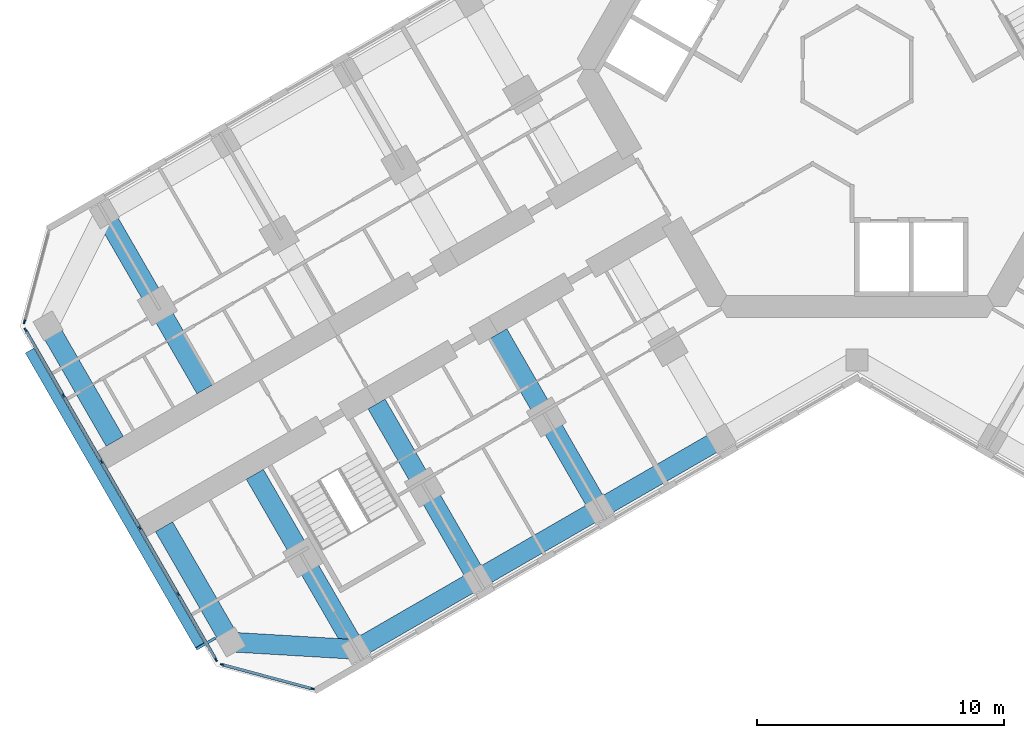
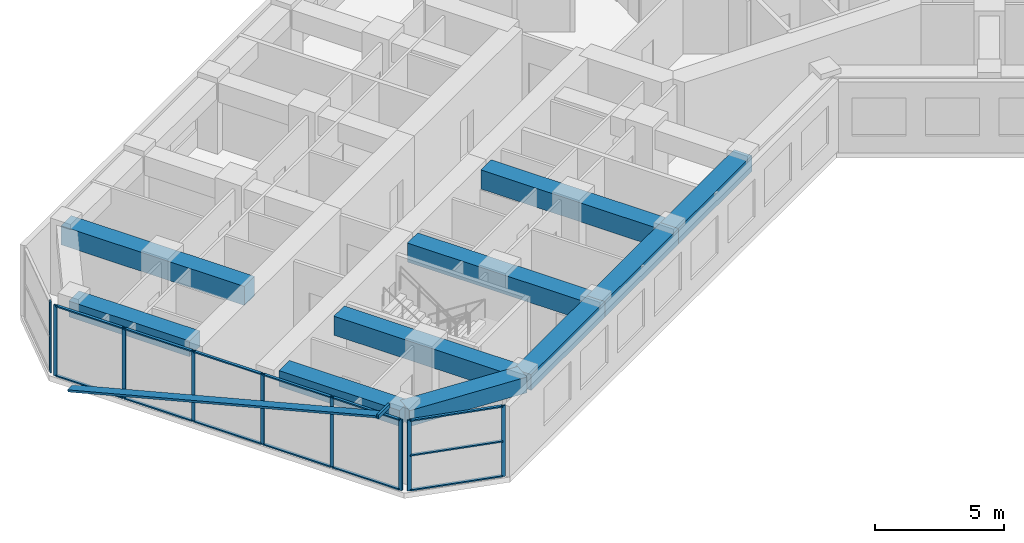
# One storey, part 2 of 19: 24 members, 10 beams, 3 elements without a shape of their own.
"""IFC4 building model written with IfcOpenShell, lengths in metres."""

import ifcopenshell
import ifcopenshell.guid

model = None  # the IFC model being written
_history = None  # IfcOwnerHistory: only IFC2X3 demands one
_inside = {}  # id of a spatial element -> (the spatial element, [elements in it])
_under = {}  # id of a project, library or spatial element -> (it, [spatial elements below it])
_declared = {}  # id of a project -> (the project, [libraries it declares])
_typed = {}  # id of a type object -> (the type object, [elements of that type])
_made_of = {}  # id of a material, layer set ... -> (it, [elements and type objects made of it])


def new_model(schema):
    """Start an empty IFC model of exactly this schema.

    Asked for "IFC4X3", IfcOpenShell would pick the latest addendum, in which some entities
    have other attributes; the version numbers below select the first issue.
    IFC2X3 requires an IfcOwnerHistory on every rooted entity: one is made here for all.
    """
    global model, _history
    if schema == "IFC4X3":
        model = ifcopenshell.file(schema_version=(4, 3, 0, 0))
    else:
        model = ifcopenshell.file(schema=schema)
    _inside.clear()
    _under.clear()
    _declared.clear()
    _typed.clear()
    _made_of.clear()
    _history = None
    if model.schema == "IFC2X3":
        org = make("IfcOrganization", Name="unknown")
        user = make(
            "IfcPersonAndOrganization",
            ThePerson=make("IfcPerson", FamilyName="unknown"),
            TheOrganization=org,
        )
        app = make(
            "IfcApplication",
            ApplicationDeveloper=org,
            Version="unknown",
            ApplicationFullName="unknown",
            ApplicationIdentifier="unknown",
        )
        _history = make(
            "IfcOwnerHistory",
            OwningUser=user,
            OwningApplication=app,
            ChangeAction="ADDED",
            CreationDate=0,
        )
    return model


def make(cls, **values):
    """One entity of the class cls with the attributes given. An attribute that is None is left unset."""
    return model.create_entity(
        cls, **{name: value for name, value in values.items() if value is not None}
    )


def rooted(cls, **values):
    """An entity with a GlobalId (a new one), such as an element, a storey or a relation."""
    return make(cls, GlobalId=ifcopenshell.guid.new(), OwnerHistory=_history, **values)


def si_unit(unit_type, name, prefix=None):
    """IfcSIUnit, for example si_unit("LENGTHUNIT", "METRE", prefix="MILLI")."""
    return make("IfcSIUnit", UnitType=unit_type, Prefix=prefix, Name=name)


def assignment(units):
    """IfcUnitAssignment: the units of a project."""
    return None if units is None else make("IfcUnitAssignment", Units=units)


def point(xyz):
    """IfcCartesianPoint."""
    return None if xyz is None else make("IfcCartesianPoint", Coordinates=xyz)


def direction(xyz):
    """IfcDirection."""
    return None if xyz is None else make("IfcDirection", DirectionRatios=xyz)


def frame(location, z_axis=None, x_axis=None):
    """IfcAxis2Placement3D, a coordinate frame: its origin and axes. An axis left out is left unset."""
    return make(
        "IfcAxis2Placement3D",
        Location=point(location),
        Axis=direction(z_axis),
        RefDirection=direction(x_axis),
    )


def frame_2d(location, x_axis=None):
    """IfcAxis2Placement2D, a coordinate frame in the plane: its origin and x axis."""
    return make(
        "IfcAxis2Placement2D", Location=point(location), RefDirection=direction(x_axis)
    )


def origin():
    """The frame at (0, 0, 0) with its axes left unset."""
    return frame((0.0, 0.0, 0.0))


def origin_2d():
    """The frame at (0, 0) in the plane with its x axis left unset."""
    return frame_2d((0.0, 0.0))


def place(relative_to, where):
    """IfcLocalPlacement: puts the frame where relative to a parent placement (None: the world)."""
    return make(
        "IfcLocalPlacement", PlacementRelTo=relative_to, RelativePlacement=where
    )


def context(
    kind, dimensions, precision=None, world=None, true_north=None, identifier=None
):
    """IfcGeometricRepresentationContext, for example the 3D "Model" context."""
    return make(
        "IfcGeometricRepresentationContext",
        ContextIdentifier=identifier,
        ContextType=kind,
        CoordinateSpaceDimension=dimensions,
        Precision=precision,
        WorldCoordinateSystem=world,
        TrueNorth=true_north,
    )


def subcontext(parent, identifier, kind, view, scale=None):
    """IfcGeometricRepresentationSubContext, for example "Body" below "Model"."""
    return make(
        "IfcGeometricRepresentationSubContext",
        ContextIdentifier=identifier,
        ContextType=kind,
        ParentContext=parent,
        TargetScale=scale,
        TargetView=view,
    )


def project(units=None, contexts=None):
    """IfcProject with its units and contexts."""
    return rooted(
        "IfcProject",
        Name="project",
        RepresentationContexts=contexts,
        UnitsInContext=assignment(units),
    )


def spatial(cls, under=None, at=None, **own):
    """A site, building, storey or space (cls), placed at a placement, below another one or the project."""
    s = rooted(cls, ObjectPlacement=at, **own)
    if under is not None:
        _under.setdefault(under.id(), (under, []))[1].append(s)
    return s


def profile(cls, at=None, kind="AREA", **sizes):
    """A parametric profile (cls). Its sizes go by their IFC names, for example OverallWidth=200.0."""
    return make(cls, ProfileType=kind, Position=at, **sizes)


def rectangle(**sizes):
    """IfcRectangleProfileDef."""
    return profile("IfcRectangleProfileDef", **sizes)


def hollow_rectangle(**sizes):
    """IfcRectangleHollowProfileDef."""
    return profile("IfcRectangleHollowProfileDef", **sizes)


def extrude(swept, where, along, depth):
    """IfcExtrudedAreaSolid: the profile swept, set in the frame where, extruded along a direction by depth."""
    return make(
        "IfcExtrudedAreaSolid",
        SweptArea=swept,
        Position=where,
        ExtrudedDirection=direction(along),
        Depth=depth,
    )


def shape(context_of_items, identifier, shape_type, items):
    """IfcShapeRepresentation: the items that make up one representation, for example the "Body"."""
    return make(
        "IfcShapeRepresentation",
        ContextOfItems=context_of_items,
        RepresentationIdentifier=identifier,
        RepresentationType=shape_type,
        Items=items,
    )


def material(Name=None, Category=None):
    """IfcMaterial."""
    return make("IfcMaterial", Name=Name, Category=Category)


def material_profile(
    of_material, cross_section, Name=None, Category=None, Priority=None
):
    """IfcMaterialProfile: a cross section and its material."""
    return make(
        "IfcMaterialProfile",
        Name=Name,
        Material=of_material,
        Profile=cross_section,
        Priority=Priority,
        Category=Category,
    )


def profile_set(profiles, Name=None, composite=None):
    """IfcMaterialProfileSet."""
    return make(
        "IfcMaterialProfileSet",
        Name=Name,
        MaterialProfiles=profiles,
        CompositeProfile=composite,
    )


def made_of(thing, what):
    """Note that an element or type object is made of a material, layer set ...; save() writes the relation."""
    if what is not None:
        _made_of.setdefault(what.id(), (what, []))[1].append(thing)
    return thing


def type_object(cls, material=None, **own):
    """A type object (cls), such as IfcWallType, which elements share."""
    return made_of(rooted(cls, **own), material)


def element(
    cls,
    number,
    at=None,
    inside=None,
    cuts=None,
    type_object=None,
    material=None,
    context=None,
    identifier="Body",
    shape_type=None,
    held_by="IfcProductDefinitionShape",
    body=None,
    shapes=None,
    **own,
):
    """One element of the class cls, such as IfcWall. Its Tag is "e" and its number.

    at: its placement. inside: the storey or other place that contains it. cuts: it is an
    opening in that element (IfcRelVoidsElement). A single representation is given by context,
    identifier, shape_type and body (its items); several are given by shapes. held_by: the class
    of the entity that holds the representations. save() writes the other relations.
    """
    e = rooted(cls, Tag="e%d" % number, ObjectPlacement=at, **own)
    if body is not None:
        shapes = [shape(context, identifier, shape_type, body)]
    if shapes is not None:
        e.Representation = make(held_by, Representations=shapes)
    if inside is not None:
        _inside.setdefault(inside.id(), (inside, []))[1].append(e)
    if cuts is not None:
        rooted(
            "IfcRelVoidsElement", RelatingBuildingElement=cuts, RelatedOpeningElement=e
        )
    if type_object is not None:
        _typed.setdefault(type_object.id(), (type_object, []))[1].append(e)
    return made_of(e, material)


def aggregate(whole, parts):
    """IfcRelAggregates: a whole, such as a stair, and the parts it consists of."""
    return rooted("IfcRelAggregates", RelatingObject=whole, RelatedObjects=parts)


def save(model, path):
    """Write the relations noted so far, then the file.

    IfcRelAggregates (storeys below a building ...), IfcRelContainedInSpatialStructure (elements
    in a storey), IfcRelDefinesByType, IfcRelAssociatesMaterial and IfcRelDeclares: one each for
    every whole, place, type object, material and project.
    """
    for whole, parts in _under.values():
        aggregate(whole, parts)
    for where, things in _inside.values():
        rooted(
            "IfcRelContainedInSpatialStructure",
            RelatedElements=things,
            RelatingStructure=where,
        )
    for kind, things in _typed.values():
        rooted("IfcRelDefinesByType", RelatedObjects=things, RelatingType=kind)
    for what, things in _made_of.values():
        rooted("IfcRelAssociatesMaterial", RelatedObjects=things, RelatingMaterial=what)
    for by, libraries in _declared.values():
        rooted("IfcRelDeclares", RelatingContext=by, RelatedDefinitions=libraries)
    model.write(path)


model = new_model("IFC4")

# Units and contexts
model_context = context("Model", 3, precision=1e-05, world=origin(), true_north=direction((0.0, 1.0)))
body_context = subcontext(model_context, "Body", "Model", "MODEL_VIEW")
ifc_project = project(units=[si_unit("LENGTHUNIT", "METRE"), si_unit("AREAUNIT", "SQUARE_METRE"), si_unit("VOLUMEUNIT", "CUBIC_METRE"), si_unit("PLANEANGLEUNIT", "RADIAN"), si_unit("MASSUNIT", "GRAM", prefix="KILO")], contexts=[model_context])

# Site, building, storey
site_placement = place(None, origin())
site = spatial("IfcSite", under=ifc_project, at=site_placement, CompositionType="ELEMENT")
building_placement = place(site_placement, origin())
building = spatial("IfcBuilding", under=site, at=building_placement, Name="Kosmar Iwan School Tower", CompositionType="ELEMENT")
storey_placement = place(building_placement, frame((0.0, 0.0, 138.199951171875)))
storey = spatial("IfcBuildingStorey", under=building, at=storey_placement, Name="L34", CompositionType="ELEMENT", Elevation=138.199951171875)

# Members
ifc_material_1 = material(Name="Black anodised aluminium", Category="aluminium")
ifc_material_profile_1 = material_profile(ifc_material_1, rectangle(XDim=0.10009765625, YDim=0.39990234375, at=origin_2d()), Name="FIN 100x400")
ifc_profile_set_1 = profile_set([ifc_material_profile_1], Name="Black anodised aluminium")
member_type_1 = type_object("IfcMemberType", Name="Diagonal fin 100x400", PredefinedType="USERDEFINED", material=ifc_profile_set_1)
member_1_placement = place(storey_placement, frame((-33.54345703125, -11.40087890625, -0.14990234375), z_axis=(0.483795538458, -0.837973939202, 0.252470897702), x_axis=(-0.126233699175, 0.218647221293, 0.967604488318)))
element("IfcMember", 1, at=member_1_placement, inside=storey, type_object=member_type_1, Name="Diagonal fin L34-F13", ObjectType="FIN", PredefinedType="USERDEFINED", context=body_context, shape_type="SweptSolid", body=[
    extrude(rectangle(XDim=0.10009765625, YDim=0.39990234375, at=origin_2d()), origin(), (0.0, 0.0, 1.0), 14.258544921875),
])
ifc_material_2 = material(Name="Steel S355", Category="steel")
ifc_material_profile_2 = material_profile(ifc_material_2, hollow_rectangle(XDim=0.10009765625, YDim=0.199951171875, WallThickness=0.008056640625, at=origin_2d()), Name="RHS 200x100x8")
ifc_profile_set_2 = profile_set([ifc_material_profile_2], Name="Steel S355")
member_type_2 = type_object("IfcMemberType", Name="Fin bracket RHS 200x100", PredefinedType="USERDEFINED", material=ifc_profile_set_2)
member_2_placement = place(storey_placement, frame((-26.01318359375, -23.0439453125, 3.47509765625), z_axis=(-0.866013897511, -0.50001992892, 0.0), x_axis=(0.50001992892, -0.866013897511, 0.0)))
element("IfcMember", 2, at=member_2_placement, inside=storey, type_object=member_type_2, Name="Fin bracket L35", ObjectType="FIN BRACKET", PredefinedType="USERDEFINED", context=body_context, shape_type="SweptSolid", body=[
    extrude(hollow_rectangle(XDim=0.10009765625, YDim=0.199951171875, WallThickness=0.008056640625, at=origin_2d()), origin(), (0.0, 0.0, 1.0), 0.89990234375),
])

# Curtain wall, member
ifc_material_3 = material(Name="Dark glass in black aluminium frame", Category="aluminium")
curtain_wall_type_1 = type_object("IfcCurtainWallType", Name="Chamfer curtain wall dark glass", PredefinedType="USERDEFINED", material=ifc_material_3)
curtain_wall_1_placement = place(storey_placement, origin())
curtain_wall_1 = element("IfcCurtainWall", 3, at=curtain_wall_1_placement, inside=storey, type_object=curtain_wall_type_1, Name="Curtain wall L34-F12", ObjectType="FACETED CURTAIN WALL", PredefinedType="USERDEFINED")
ifc_material_4 = material(Name="Black anodised aluminium", Category="aluminium")
ifc_material_profile_3 = material_profile(ifc_material_4, rectangle(XDim=0.06005859375, YDim=0.159912109375, at=origin_2d()), Name="MULLION 60x160")
ifc_profile_set_3 = profile_set([ifc_material_profile_3], Name="Black anodised aluminium")
member_type_3 = type_object("IfcMemberType", Name="Mullion 60x160", PredefinedType="MULLION", material=ifc_profile_set_3)
member_3_placement = place(storey_placement, frame((-33.7587890625, -10.2236328125, 0.0), z_axis=(0.0, 0.0, 1.0), x_axis=(0.965925875495, -0.258818861462, 0.0)))
member_3 = element("IfcMember", 4, at=member_3_placement, type_object=member_type_3, Name="CW2 mullion 2", PredefinedType="MULLION", context=body_context, shape_type="SweptSolid", body=[
    extrude(rectangle(XDim=0.06005859375, YDim=0.159912109375, at=origin_2d()), origin(), (0.0, 0.0, 1.0), 3.35009765625),
])
aggregate(curtain_wall_1, [member_3])

# Curtain wall, members
ifc_material_5 = material(Name="Dark glass in black aluminium frame", Category="aluminium")
curtain_wall_type_2 = type_object("IfcCurtainWallType", Name="Tower curtain wall dark glass", PredefinedType="USERDEFINED", material=ifc_material_5)
curtain_wall_2_placement = place(storey_placement, origin())
curtain_wall_2 = element("IfcCurtainWall", 5, at=curtain_wall_2_placement, inside=storey, type_object=curtain_wall_type_2, Name="Curtain wall L34-F13", ObjectType="UNITISED CURTAIN WALL", PredefinedType="USERDEFINED")
member_4_placement = place(storey_placement, frame((-33.71533203125, -10.55322265625, 0.0), z_axis=(0.0, 0.0, 1.0), x_axis=(0.866025405329, 0.499999997325, 0.0)))
member_4 = element("IfcMember", 6, at=member_4_placement, type_object=member_type_3, Name="CW1 mullion 1", PredefinedType="MULLION", context=body_context, shape_type="SweptSolid", body=[
    extrude(rectangle(XDim=0.06005859375, YDim=0.159912109375, at=origin_2d()), origin(), (0.0, 0.0, 1.0), 3.35009765625),
])
member_5_placement = place(storey_placement, frame((-32.1806640625, -13.21142578125, 0.0), z_axis=(0.0, 0.0, 1.0), x_axis=(0.866025405329, 0.499999997325, 0.0)))
member_5 = element("IfcMember", 7, at=member_5_placement, type_object=member_type_3, Name="CW1 mullion 2", PredefinedType="MULLION", context=body_context, shape_type="SweptSolid", body=[
    extrude(rectangle(XDim=0.06005859375, YDim=0.159912109375, at=origin_2d()), origin(), (0.0, 0.0, 1.0), 3.35009765625),
])
member_6_placement = place(storey_placement, frame((-30.631103515625, -15.8955078125, 0.0), z_axis=(0.0, 0.0, 1.0), x_axis=(0.866025405329, 0.499999997325, 0.0)))
member_6 = element("IfcMember", 8, at=member_6_placement, type_object=member_type_3, Name="CW1 mullion 3", PredefinedType="MULLION", context=body_context, shape_type="SweptSolid", body=[
    extrude(rectangle(XDim=0.06005859375, YDim=0.159912109375, at=origin_2d()), origin(), (0.0, 0.0, 1.0), 3.35009765625),
])
member_7_placement = place(storey_placement, frame((-29.081298828125, -18.57958984375, 0.0), z_axis=(0.0, 0.0, 1.0), x_axis=(0.866025405329, 0.499999997325, 0.0)))
member_7 = element("IfcMember", 9, at=member_7_placement, type_object=member_type_3, Name="CW1 mullion 4", PredefinedType="MULLION", context=body_context, shape_type="SweptSolid", body=[
    extrude(rectangle(XDim=0.06005859375, YDim=0.159912109375, at=origin_2d()), origin(), (0.0, 0.0, 1.0), 3.35009765625),
])
member_8_placement = place(storey_placement, frame((-27.53173828125, -21.263671875, 0.0), z_axis=(0.0, 0.0, 1.0), x_axis=(0.866025405329, 0.499999997325, 0.0)))
member_8 = element("IfcMember", 10, at=member_8_placement, type_object=member_type_3, Name="CW1 mullion 5", PredefinedType="MULLION", context=body_context, shape_type="SweptSolid", body=[
    extrude(rectangle(XDim=0.06005859375, YDim=0.159912109375, at=origin_2d()), origin(), (0.0, 0.0, 1.0), 3.35009765625),
])
member_9_placement = place(storey_placement, frame((-25.9970703125, -23.921630859375, 0.0), z_axis=(0.0, 0.0, 1.0), x_axis=(0.866025405329, 0.499999997325, 0.0)))
member_9 = element("IfcMember", 11, at=member_9_placement, type_object=member_type_3, Name="CW1 mullion 6", PredefinedType="MULLION", context=body_context, shape_type="SweptSolid", body=[
    extrude(rectangle(XDim=0.06005859375, YDim=0.159912109375, at=origin_2d()), origin(), (0.0, 0.0, 1.0), 3.35009765625),
])

curtain_wall_3_placement = place(storey_placement, origin())
curtain_wall_3 = element("IfcCurtainWall", 12, at=curtain_wall_3_placement, inside=storey, type_object=curtain_wall_type_1, Name="Curtain wall L34-F14", ObjectType="FACETED CURTAIN WALL", PredefinedType="USERDEFINED")
member_10_placement = place(storey_placement, frame((-25.733154296875, -24.124267578125, 0.0), z_axis=(0.0, 0.0, 1.0), x_axis=(0.258818861462, 0.965925875495, 0.0)))
member_10 = element("IfcMember", 13, at=member_10_placement, type_object=member_type_3, Name="CW2 mullion 1", PredefinedType="MULLION", context=body_context, shape_type="SweptSolid", body=[
    extrude(rectangle(XDim=0.06005859375, YDim=0.159912109375, at=origin_2d()), origin(), (0.0, 0.0, 1.0), 3.35009765625),
])
member_11_placement = place(storey_placement, frame((-22.0830078125, -25.102294921875, 0.0), z_axis=(0.0, 0.0, 1.0), x_axis=(0.258818861462, 0.965925875495, 0.0)))
member_11 = element("IfcMember", 14, at=member_11_placement, type_object=member_type_3, Name="CW2 mullion 2", PredefinedType="MULLION", context=body_context, shape_type="SweptSolid", body=[
    extrude(rectangle(XDim=0.06005859375, YDim=0.159912109375, at=origin_2d()), origin(), (0.0, 0.0, 1.0), 3.35009765625),
])

# Beams
ifc_material_6 = material(Name="Concrete C50/60", Category="concrete")
ifc_material_profile_4 = material_profile(ifc_material_6, rectangle(XDim=0.800048828125, YDim=0.75, at=origin_2d()), Name="RC 800x750")
ifc_profile_set_4 = profile_set([ifc_material_profile_4], Name="Concrete C50/60")
beam_type_1 = type_object("IfcBeamType", Name="RC edge beam 800x750", PredefinedType="BEAM", material=ifc_profile_set_4)
beam_1_placement = place(storey_placement, frame((-5.5087890625, -14.95849609375, 2.97509765625), z_axis=(-0.866033658841, -0.49998570155, 0.0), x_axis=(0.49998570155, -0.866033658841, 0.0)))
element("IfcBeam", 15, at=beam_1_placement, inside=storey, type_object=beam_type_1, Name="Edge beam BL2", PredefinedType="BEAM", context=body_context, shape_type="SweptSolid", body=[
    extrude(rectangle(XDim=0.800048828125, YDim=0.75, at=origin_2d()), origin(), (0.0, 0.0, 1.0), 5.699951171875),
])
beam_2_placement = place(storey_placement, frame((-10.445068359375, -17.808349609375, 2.97509765625), z_axis=(-0.866025820012, -0.499999279071, 0.0), x_axis=(0.499999279071, -0.866025820012, 0.0)))
element("IfcBeam", 16, at=beam_2_placement, inside=storey, type_object=beam_type_1, Name="Edge beam BL3", PredefinedType="BEAM", context=body_context, shape_type="SweptSolid", body=[
    extrude(rectangle(XDim=0.800048828125, YDim=0.75, at=origin_2d()), origin(), (0.0, 0.0, 1.0), 5.7001953125),
])
beam_3_placement = place(storey_placement, frame((-15.381591796875, -20.658447265625, 2.97509765625), z_axis=(-0.866015111908, -0.50001782563, 0.0), x_axis=(0.50001782563, -0.866015111908, 0.0)))
element("IfcBeam", 17, at=beam_3_placement, inside=storey, type_object=beam_type_1, Name="Edge beam BL4", PredefinedType="BEAM", context=body_context, shape_type="SweptSolid", body=[
    extrude(rectangle(XDim=0.800048828125, YDim=0.75, at=origin_2d()), origin(), (0.0, 0.0, 1.0), 5.699951171875),
])
ifc_material_7 = material(Name="Concrete C50/60", Category="concrete")
ifc_material_profile_5 = material_profile(ifc_material_7, rectangle(XDim=0.800048828125, YDim=0.75, at=origin_2d()), Name="RC 800x750")
ifc_profile_set_5 = profile_set([ifc_material_profile_5], Name="Concrete C50/60")
beam_type_2 = type_object("IfcBeamType", Name="RC tip beam 800x750", PredefinedType="BEAM", material=ifc_profile_set_5)
beam_4_placement = place(storey_placement, frame((-20.31787109375, -23.508544921875, 2.97509765625), z_axis=(-0.998260616478, 0.058955420358, 0.0), x_axis=(-0.058955420358, -0.998260616478, 0.0)))
element("IfcBeam", 18, at=beam_4_placement, inside=storey, type_object=beam_type_2, Name="Tip beam BL", PredefinedType="BEAM", context=body_context, shape_type="SweptSolid", body=[
    extrude(rectangle(XDim=0.800048828125, YDim=0.75, at=origin_2d()), origin(), (0.0, 0.0, 1.0), 5.08935546875),
])
for number, where, z_axis, x_axis, name in (
    (19, (-25.3984375, -23.20849609375, 2.97509765625), (-0.499995103361, 0.866028230842, 0.0), (-0.866028230842, -0.499995103361, 0.0), "Tip beam BL to corridor wall"),
    (20, (-32.79833984375, -10.391357421875, 2.97509765625), (0.499995103361, -0.866028230842, 0.0), (0.866028230842, 0.499995103361, 0.0), "Tip beam BR to corridor wall"),
):
    element("IfcBeam", number, at=place(storey_placement, frame(where, z_axis=z_axis, x_axis=x_axis)), inside=storey, type_object=beam_type_2, Name=name, PredefinedType="BEAM", context=body_context, shape_type="SweptSolid", body=[
        extrude(rectangle(XDim=0.800048828125, YDim=0.75, at=origin_2d()), origin(), (0.0, 0.0, 1.0), 5.39990234375),
    ])
ifc_material_8 = material(Name="Concrete C50/60", Category="concrete")
ifc_material_profile_6 = material_profile(ifc_material_8, rectangle(XDim=0.800048828125, YDim=0.89990234375, at=origin_2d()), Name="RC 800x900")
ifc_profile_set_6 = profile_set([ifc_material_profile_6], Name="Concrete C50/60")
beam_type_3 = type_object("IfcBeamType", Name="RC transverse beam 800x900", PredefinedType="BEAM", material=ifc_profile_set_6)
for number, where, z_axis, x_axis, name in (
    (21, (-10.445068359375, -17.808349609375, 2.900146484375), (-0.500013681986, 0.866017504342, 0.0), (-0.866017504342, -0.500013681986, 0.0), "Transverse beam BL2"),
    (22, (-15.381591796875, -20.658447265625, 2.900146484375), (-0.49999135188, 0.866030396721, 0.0), (-0.866030396721, -0.49999135188, 0.0), "Transverse beam BL3"),
    (23, (-20.31787109375, -23.508544921875, 2.900146484375), (-0.499978459874, 0.866037839625, 0.0), (-0.866037839625, -0.499978459874, 0.0), "Transverse beam BL4"),
    (24, (-30.517822265625, -5.841552734375, 2.900146484375), (0.500013681986, -0.866017504342, 0.0), (0.866017504342, 0.500013681986, 0.0), "Transverse beam BR4"),
):
    element("IfcBeam", number, at=place(storey_placement, frame(where, z_axis=z_axis, x_axis=x_axis)), inside=storey, type_object=beam_type_3, Name=name, PredefinedType="BEAM", context=body_context, shape_type="SweptSolid", body=[
        extrude(rectangle(XDim=0.800048828125, YDim=0.89990234375, at=origin_2d()), origin(), (0.0, 0.0, 1.0), 8.199951171875),
    ])

# Member
ifc_material_9 = material(Name="Black anodised aluminium", Category="aluminium")
ifc_material_profile_7 = material_profile(ifc_material_9, rectangle(XDim=0.1201171875, YDim=0.06005859375, at=origin_2d()), Name="TRANSOM 60x120")
ifc_profile_set_7 = profile_set([ifc_material_profile_7], Name="Black anodised aluminium")
member_type_4 = type_object("IfcMemberType", Name="Transom 60x120", PredefinedType="USERDEFINED", material=ifc_profile_set_7)
member_12_placement = place(storey_placement, frame((-33.700439453125, -10.579345703125, 0.030029296875), z_axis=(0.500022102064, -0.866012642776, 0.0), x_axis=(0.866012642776, 0.500022102064, 0.0)))
member_12 = element("IfcMember", 25, at=member_12_placement, type_object=member_type_4, Name="CW1 transom 1.1", ObjectType="TRANSOM", PredefinedType="USERDEFINED", context=body_context, shape_type="SweptSolid", body=[
    extrude(rectangle(XDim=0.1201171875, YDim=0.06005859375, at=origin_2d()), origin(), (0.0, 0.0, 1.0), 3.009033203125),
])

member_13_placement = place(storey_placement, frame((-33.700439453125, -10.579345703125, 3.320068359375), z_axis=(0.500022102064, -0.866012642776, 0.0), x_axis=(0.866012642776, 0.500022102064, 0.0)))
member_13 = element("IfcMember", 26, at=member_13_placement, type_object=member_type_4, Name="CW1 transom 1.2", ObjectType="TRANSOM", PredefinedType="USERDEFINED", context=body_context, shape_type="SweptSolid", body=[
    extrude(rectangle(XDim=0.1201171875, YDim=0.06005859375, at=origin_2d()), origin(), (0.0, 0.0, 1.0), 3.009033203125),
])

member_14_placement = place(storey_placement, frame((-32.165771484375, -13.2373046875, 0.030029296875), z_axis=(0.500035348339, -0.866004994449, 0.0), x_axis=(0.866004994449, 0.500035348339, 0.0)))
member_14 = element("IfcMember", 27, at=member_14_placement, type_object=member_type_4, Name="CW1 transom 2.1", ObjectType="TRANSOM", PredefinedType="USERDEFINED", context=body_context, shape_type="SweptSolid", body=[
    extrude(rectangle(XDim=0.1201171875, YDim=0.06005859375, at=origin_2d()), origin(), (0.0, 0.0, 1.0), 3.039306640625),
])

member_15_placement = place(storey_placement, frame((-32.165771484375, -13.2373046875, 3.320068359375), z_axis=(0.500035348339, -0.866004994449, 0.0), x_axis=(0.866004994449, 0.500035348339, 0.0)))
member_15 = element("IfcMember", 28, at=member_15_placement, type_object=member_type_4, Name="CW1 transom 2.2", ObjectType="TRANSOM", PredefinedType="USERDEFINED", context=body_context, shape_type="SweptSolid", body=[
    extrude(rectangle(XDim=0.1201171875, YDim=0.06005859375, at=origin_2d()), origin(), (0.0, 0.0, 1.0), 3.039306640625),
])

member_16_placement = place(storey_placement, frame((-30.615966796875, -15.92138671875, 0.030029296875), z_axis=(0.499975102327, -0.866039777986, 0.0), x_axis=(0.866039777986, 0.499975102327, 0.0)))
member_16 = element("IfcMember", 29, at=member_16_placement, type_object=member_type_4, Name="CW1 transom 3.1", ObjectType="TRANSOM", PredefinedType="USERDEFINED", context=body_context, shape_type="SweptSolid", body=[
    extrude(rectangle(XDim=0.1201171875, YDim=0.06005859375, at=origin_2d()), origin(), (0.0, 0.0, 1.0), 3.039306640625),
])

member_17_placement = place(storey_placement, frame((-30.615966796875, -15.92138671875, 3.320068359375), z_axis=(0.499975102327, -0.866039777986, 0.0), x_axis=(0.866039777986, 0.499975102327, 0.0)))
member_17 = element("IfcMember", 30, at=member_17_placement, type_object=member_type_4, Name="CW1 transom 3.2", ObjectType="TRANSOM", PredefinedType="USERDEFINED", context=body_context, shape_type="SweptSolid", body=[
    extrude(rectangle(XDim=0.1201171875, YDim=0.06005859375, at=origin_2d()), origin(), (0.0, 0.0, 1.0), 3.039306640625),
])

member_18_placement = place(storey_placement, frame((-29.06640625, -18.60546875, 0.030029296875), z_axis=(0.499975102327, -0.866039777986, 0.0), x_axis=(0.866039777986, 0.499975102327, 0.0)))
member_18 = element("IfcMember", 31, at=member_18_placement, type_object=member_type_4, Name="CW1 transom 4.1", ObjectType="TRANSOM", PredefinedType="USERDEFINED", context=body_context, shape_type="SweptSolid", body=[
    extrude(rectangle(XDim=0.1201171875, YDim=0.06005859375, at=origin_2d()), origin(), (0.0, 0.0, 1.0), 3.039306640625),
])

member_19_placement = place(storey_placement, frame((-29.06640625, -18.60546875, 3.320068359375), z_axis=(0.499975102327, -0.866039777986, 0.0), x_axis=(0.866039777986, 0.499975102327, 0.0)))
member_19 = element("IfcMember", 32, at=member_19_placement, type_object=member_type_4, Name="CW1 transom 4.2", ObjectType="TRANSOM", PredefinedType="USERDEFINED", context=body_context, shape_type="SweptSolid", body=[
    extrude(rectangle(XDim=0.1201171875, YDim=0.06005859375, at=origin_2d()), origin(), (0.0, 0.0, 1.0), 3.039306640625),
])

member_20_placement = place(storey_placement, frame((-27.516845703125, -21.28955078125, 0.030029296875), z_axis=(0.499986971506, -0.866032925658, 0.0), x_axis=(0.866032925658, 0.499986971506, 0.0)))
member_20 = element("IfcMember", 33, at=member_20_placement, type_object=member_type_4, Name="CW1 transom 5.1", ObjectType="TRANSOM", PredefinedType="USERDEFINED", context=body_context, shape_type="SweptSolid", body=[
    extrude(rectangle(XDim=0.1201171875, YDim=0.06005859375, at=origin_2d()), origin(), (0.0, 0.0, 1.0), 3.00927734375),
])

member_21_placement = place(storey_placement, frame((-27.516845703125, -21.28955078125, 3.320068359375), z_axis=(0.499986971506, -0.866032925658, 0.0), x_axis=(0.866032925658, 0.499986971506, 0.0)))
member_21 = element("IfcMember", 34, at=member_21_placement, type_object=member_type_4, Name="CW1 transom 5.2", ObjectType="TRANSOM", PredefinedType="USERDEFINED", context=body_context, shape_type="SweptSolid", body=[
    extrude(rectangle(XDim=0.1201171875, YDim=0.06005859375, at=origin_2d()), origin(), (0.0, 0.0, 1.0), 3.00927734375),
])

aggregate(curtain_wall_2, [member_4, member_5, member_6, member_7, member_8, member_9, member_12, member_13, member_14, member_15, member_16, member_17, member_18, member_19, member_20, member_21])

member_22_placement = place(storey_placement, frame((-25.704345703125, -24.1318359375, 0.030029296875), z_axis=(0.965923731726, -0.258826861991, 0.0), x_axis=(0.258826861991, 0.965923731726, 0.0)))
member_22 = element("IfcMember", 35, at=member_22_placement, type_object=member_type_4, Name="CW2 transom 1.1", ObjectType="TRANSOM", PredefinedType="USERDEFINED", context=body_context, shape_type="SweptSolid", body=[
    extrude(rectangle(XDim=0.1201171875, YDim=0.06005859375, at=origin_2d()), origin(), (0.0, 0.0, 1.0), 3.71923828125),
])

member_23_placement = place(storey_placement, frame((-25.704345703125, -24.1318359375, 1.675048828125), z_axis=(0.965923731726, -0.258826861991, 0.0), x_axis=(0.258826861991, 0.965923731726, 0.0)))
member_23 = element("IfcMember", 36, at=member_23_placement, type_object=member_type_4, Name="CW2 transom 1.2", ObjectType="TRANSOM", PredefinedType="USERDEFINED", context=body_context, shape_type="SweptSolid", body=[
    extrude(rectangle(XDim=0.1201171875, YDim=0.06005859375, at=origin_2d()), origin(), (0.0, 0.0, 1.0), 3.71923828125),
])

member_24_placement = place(storey_placement, frame((-25.704345703125, -24.1318359375, 3.320068359375), z_axis=(0.965923731726, -0.258826861991, 0.0), x_axis=(0.258826861991, 0.965923731726, 0.0)))
member_24 = element("IfcMember", 37, at=member_24_placement, type_object=member_type_4, Name="CW2 transom 1.3", ObjectType="TRANSOM", PredefinedType="USERDEFINED", context=body_context, shape_type="SweptSolid", body=[
    extrude(rectangle(XDim=0.1201171875, YDim=0.06005859375, at=origin_2d()), origin(), (0.0, 0.0, 1.0), 3.71923828125),
])

aggregate(curtain_wall_3, [member_10, member_11, member_22, member_23, member_24])

save(model, "model.ifc")
